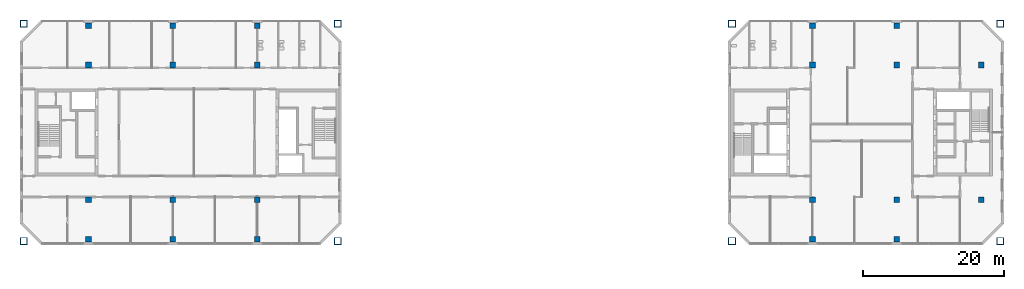
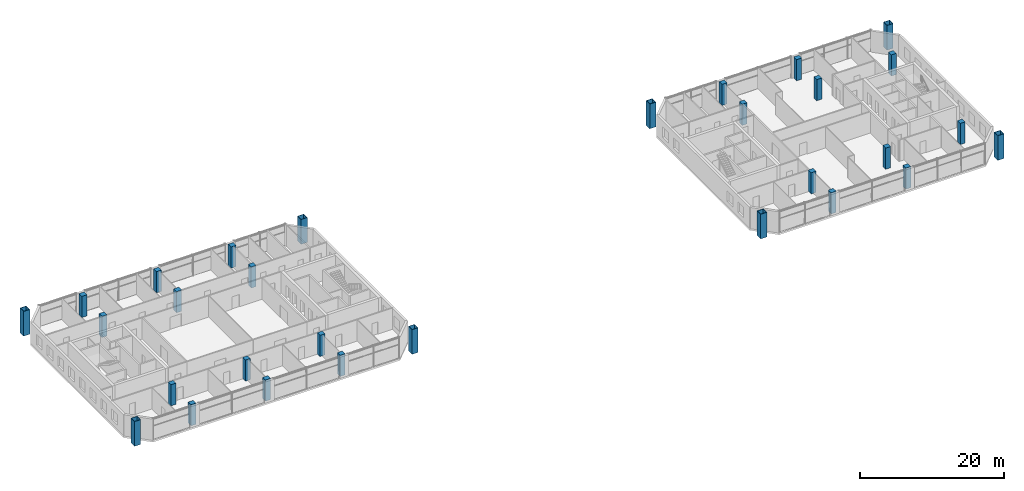
# One storey, part 1 of 19: 30 columns.
"""IFC4 building model written with IfcOpenShell, lengths in metres."""

from ifc_helpers import new_model, si_unit, direction, frame, origin, origin_2d, place, context, subcontext, project, spatial, rectangle, hollow_rectangle, extrude, material, material_profile, profile_set, type_object, element, save


model = new_model("IFC4")

# Units and contexts
model_context = context("Model", 3, precision=1e-05, world=origin(), true_north=direction((0.0, 1.0)))
body_context = subcontext(model_context, "Body", "Model", "MODEL_VIEW")
ifc_project = project(units=[si_unit("LENGTHUNIT", "METRE"), si_unit("AREAUNIT", "SQUARE_METRE"), si_unit("VOLUMEUNIT", "CUBIC_METRE"), si_unit("PLANEANGLEUNIT", "RADIAN"), si_unit("MASSUNIT", "GRAM", prefix="KILO")], contexts=[model_context])

# Site, building, storey
site_placement = place(None, origin())
site = spatial("IfcSite", under=ifc_project, at=site_placement, CompositionType="ELEMENT")
building_placement = place(site_placement, origin())
building = spatial("IfcBuilding", under=site, at=building_placement, Name="Tuart Gate Housing", CompositionType="ELEMENT")
storey_placement = place(building_placement, frame((0.0, 0.0, 171.60009765625)))
storey = spatial("IfcBuildingStorey", under=building, at=storey_placement, Name="L48", CompositionType="ELEMENT", Elevation=171.60009765625)

# Columns
ifc_material_1 = material(Name="Steel Grade 350", Category="steel")
ifc_material_profile_1 = material_profile(ifc_material_1, hollow_rectangle(XDim=1.0, YDim=1.0, WallThickness=0.054931640625, at=origin_2d()), Name="BOX 1000x1000x55")
ifc_profile_set_1 = profile_set([ifc_material_profile_1], Name="Steel Grade 350")
column_type_1 = type_object("IfcColumnType", Name="Mega column BOX 1000x1000x55 (4.1-4.5 m)", PredefinedType="COLUMN", material=ifc_profile_set_1)
for number, where, z_axis, x_axis, name in (
    (1, (30.800048828125, 54.550048828125, 0.0), (0.0, 0.0, 1.0), (1.0, 0.0, 0.0), "Mega column A south-west L48"),
    (2, (75.449951171875, 54.550048828125, 0.0), (0.0, 0.0, 1.0), (1.0, 0.0, 0.0), "Mega column A south-east L48"),
    (3, (75.449951171875, 85.449951171875, 0.0), (0.0, 0.0, 1.0), (1.0, 0.0, 0.0), "Mega column A north-east L48"),
    (4, (30.800048828125, 85.449951171875, 0.0), (0.0, 0.0, 1.0), (1.0, 0.0, 0.0), "Mega column A north-west L48"),
    (5, (131.550048828125, 54.550048828125, 0.0), (0.0, 0.0, 1.0), (1.0, 0.0, 0.0), "Mega column B south-west L48"),
    (6, (169.699951171875, 54.550048828125, 0.0), (0.0, 0.0, 1.0), (1.0, 0.0, 0.0), "Mega column B south-east L48"),
    (7, (169.699951171875, 85.449951171875, 0.0), (0.0, 0.0, 1.0), (1.0, 0.0, 0.0), "Mega column B north-east L48"),
    (8, (131.550048828125, 85.449951171875, 0.0), (0.0, 0.0, 1.0), (1.0, 0.0, 0.0), "Mega column B north-west L48"),
):
    element("IfcColumn", number, at=place(storey_placement, frame(where, z_axis=z_axis, x_axis=x_axis)), inside=storey, type_object=column_type_1, Name=name, PredefinedType="COLUMN", context=body_context, shape_type="SweptSolid", body=[
        extrude(hollow_rectangle(XDim=1.0, YDim=1.0, WallThickness=0.054931640625, at=origin_2d()), origin(), (0.0, 0.0, 1.0), 4.199951171875),
    ])
ifc_material_2 = material(Name="Concrete C50", Category="concrete")
ifc_material_profile_2 = material_profile(ifc_material_2, rectangle(XDim=0.800048828125, YDim=0.800048828125, at=origin_2d()), Name="RC column 800 x 800")
ifc_profile_set_2 = profile_set([ifc_material_profile_2], Name="Concrete C50")
column_type_2 = type_object("IfcColumnType", Name="RC column 800 x 800", PredefinedType="COLUMN", material=ifc_profile_set_2)
for number, where, z_axis, x_axis, name in (
    (9, (40.0, 54.800048828125, 0.0), (0.0, 0.0, 1.0), (1.0, 0.0, 0.0), "RC column 9 L48"),
    (10, (40.0, 60.39990234375, 0.0), (0.0, 0.0, 1.0), (1.0, 0.0, 0.0), "RC column 12 L48"),
    (11, (40.0, 79.60009765625, 0.0), (0.0, 0.0, 1.0), (1.0, 0.0, 0.0), "RC column 13 L48"),
    (12, (40.0, 85.199951171875, 0.0), (0.0, 0.0, 1.0), (1.0, 0.0, 0.0), "RC column 16 L48"),
    (13, (52.0, 54.800048828125, 0.0), (0.0, 0.0, 1.0), (1.0, 0.0, 0.0), "RC column 17 L48"),
    (14, (52.0, 60.39990234375, 0.0), (0.0, 0.0, 1.0), (1.0, 0.0, 0.0), "RC column 18 L48"),
    (15, (52.0, 79.60009765625, 0.0), (0.0, 0.0, 1.0), (1.0, 0.0, 0.0), "RC column 19 L48"),
    (16, (52.0, 85.199951171875, 0.0), (0.0, 0.0, 1.0), (1.0, 0.0, 0.0), "RC column 20 L48"),
    (17, (64.0, 54.800048828125, 0.0), (0.0, 0.0, 1.0), (1.0, 0.0, 0.0), "RC column 21 L48"),
    (18, (64.0, 60.39990234375, 0.0), (0.0, 0.0, 1.0), (1.0, 0.0, 0.0), "RC column 22 L48"),
    (19, (64.0, 79.60009765625, 0.0), (0.0, 0.0, 1.0), (1.0, 0.0, 0.0), "RC column 23 L48"),
    (20, (64.0, 85.199951171875, 0.0), (0.0, 0.0, 1.0), (1.0, 0.0, 0.0), "RC column 24 L48"),
    (21, (143.0, 54.800048828125, 0.0), (0.0, 0.0, 1.0), (1.0, 0.0, 0.0), "RC column 25 L48"),
    (22, (143.0, 60.39990234375, 0.0), (0.0, 0.0, 1.0), (1.0, 0.0, 0.0), "RC column 26 L48"),
    (23, (143.0, 79.60009765625, 0.0), (0.0, 0.0, 1.0), (1.0, 0.0, 0.0), "RC column 27 L48"),
    (24, (143.0, 85.199951171875, 0.0), (0.0, 0.0, 1.0), (1.0, 0.0, 0.0), "RC column 28 L48"),
    (25, (155.0, 54.800048828125, 0.0), (0.0, 0.0, 1.0), (1.0, 0.0, 0.0), "RC column 29 L48"),
    (26, (155.0, 60.39990234375, 0.0), (0.0, 0.0, 1.0), (1.0, 0.0, 0.0), "RC column 30 L48"),
    (27, (155.0, 79.60009765625, 0.0), (0.0, 0.0, 1.0), (1.0, 0.0, 0.0), "RC column 31 L48"),
    (28, (155.0, 85.199951171875, 0.0), (0.0, 0.0, 1.0), (1.0, 0.0, 0.0), "RC column 32 L48"),
    (29, (167.0, 60.39990234375, 0.0), (0.0, 0.0, 1.0), (1.0, 0.0, 0.0), "RC column 36 L48"),
    (30, (167.0, 79.60009765625, 0.0), (0.0, 0.0, 1.0), (1.0, 0.0, 0.0), "RC column 37 L48"),
):
    element("IfcColumn", number, at=place(storey_placement, frame(where, z_axis=z_axis, x_axis=x_axis)), inside=storey, type_object=column_type_2, Name=name, PredefinedType="COLUMN", context=body_context, shape_type="SweptSolid", body=[
        extrude(rectangle(XDim=0.800048828125, YDim=0.800048828125, at=origin_2d()), origin(), (0.0, 0.0, 1.0), 3.599853515625),
    ])

save(model, "model.ifc")
